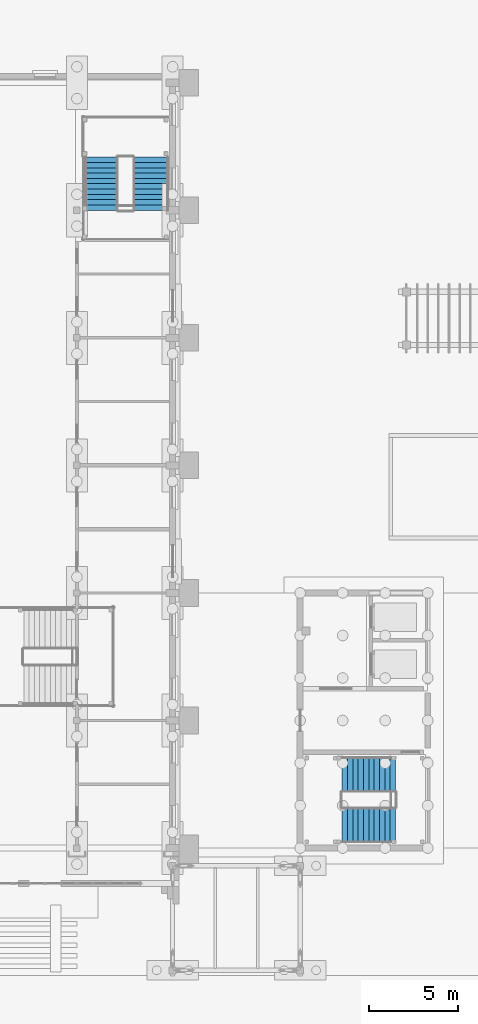
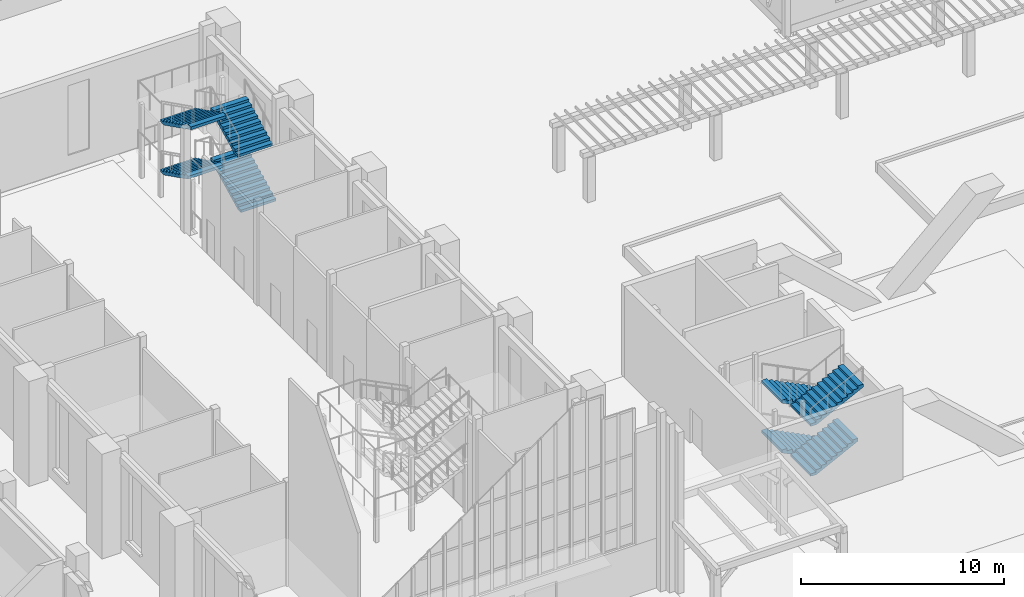
# One storey, part 63 of 84: 8 stair flights, 2 elements without a shape of their own.
"""IFC4 building model written with IfcOpenShell, lengths in metres."""

from ifc_helpers import new_model, si_unit, direction, frame, origin, place, context, subcontext, project, spatial, faceted_brep, material, type_object, element, aggregate, save


model = new_model("IFC4")

# Units and contexts
model_context = context("Model", 3, precision=1e-05, world=origin(), true_north=direction((0.0, 1.0)))
body_context = subcontext(model_context, "Body", "Model", "MODEL_VIEW")
ifc_project = project(units=[si_unit("LENGTHUNIT", "METRE"), si_unit("AREAUNIT", "SQUARE_METRE"), si_unit("VOLUMEUNIT", "CUBIC_METRE"), si_unit("PLANEANGLEUNIT", "RADIAN"), si_unit("MASSUNIT", "GRAM", prefix="KILO")], contexts=[model_context])

# Site, building, storey
site_placement = place(None, origin())
site = spatial("IfcSite", under=ifc_project, at=site_placement, CompositionType="ELEMENT")
building_placement = place(site_placement, origin())
building = spatial("IfcBuilding", under=site, at=building_placement, Name="Mazhai Court Health Centre", CompositionType="ELEMENT")
storey_placement = place(building_placement, origin())
storey = spatial("IfcBuildingStorey", under=building, at=storey_placement, Name="L00", CompositionType="ELEMENT", Elevation=0.0)

# Stair, stair flights
ifc_material_1 = material(Name="Concrete M40", Category="concrete")
stair_type = type_object("IfcStairType", Name="RC STAIR 2000 42R", PredefinedType="DOUBLE_RETURN_STAIR", material=ifc_material_1)
stair_1_placement = place(storey_placement, origin())
stair_1 = element("IfcStair", 1, at=stair_1_placement, inside=storey, type_object=stair_type, Name="L00 Stair 6", PredefinedType="DOUBLE_RETURN_STAIR")
ifc_material_2 = material(Name="Concrete M40", Category="concrete")
stair_flight_type_1 = type_object("IfcStairFlightType", Name="RC STAIR FLIGHT 10R 2000", PredefinedType="STRAIGHT", material=ifc_material_2)
stair_flight_1_placement = place(storey_placement, frame((73.375, 14.695068359375, 1.64990234375), z_axis=(0.0, 0.0, 1.0), x_axis=(1.0, 0.0, 0.0)))
stair_flight_1 = element("IfcStairFlight", 2, at=stair_flight_1_placement, type_object=stair_flight_type_1, Name="ST6 flight 2", NumberOfRisers=10, NumberOfTreads=9, PredefinedType="STRAIGHT", RiserHeight=0.15, TreadLength=0.3, context=body_context, shape_type="Brep", body=[
    faceted_brep([(0.0, 1.0, 0.0), (0.0, 1.0, 0.14990234375), (0.300048828125, 1.0, 0.14990234375), (0.300048828125, 1.0, 0.300048828125), (0.60009765625, 1.0, 0.300048828125), (0.60009765625, 1.0, 0.449951171875), (0.89990234375, 1.0, 0.449951171875), (0.89990234375, 1.0, 0.60009765625), (1.199951171875, 1.0, 0.60009765625), (1.199951171875, 1.0, 0.75), (1.5, 1.0, 0.75), (1.5, 1.0, 0.89990234375), (1.800048828125, 1.0, 0.89990234375), (1.800048828125, 1.0, 1.050048828125), (2.10009765625, 1.0, 1.050048828125), (2.10009765625, 1.0, 1.199951171875), (2.39990234375, 1.0, 1.199951171875), (2.39990234375, 1.0, 1.35009765625), (2.699951171875, 1.0, 1.35009765625), (2.699951171875, 1.0, 1.182373046875), (0.335205078125, 1.0, 0.0), (0.335205078125, -1.0, 0.0), (2.699951171875, -1.0, 1.182373046875), (2.699951171875, -1.0, 1.35009765625), (2.39990234375, -1.0, 1.35009765625), (2.39990234375, -1.0, 1.199951171875), (2.10009765625, -1.0, 1.199951171875), (2.10009765625, -1.0, 1.050048828125), (1.800048828125, -1.0, 1.050048828125), (1.800048828125, -1.0, 0.89990234375), (1.5, -1.0, 0.89990234375), (1.5, -1.0, 0.75), (1.199951171875, -1.0, 0.75), (1.199951171875, -1.0, 0.60009765625), (0.89990234375, -1.0, 0.60009765625), (0.89990234375, -1.0, 0.449951171875), (0.60009765625, -1.0, 0.449951171875), (0.60009765625, -1.0, 0.300048828125), (0.300048828125, -1.0, 0.300048828125), (0.300048828125, -1.0, 0.14990234375), (0.0, -1.0, 0.14990234375), (0.0, -1.0, 0.0), (0.0, 0.0, 0.0), (0.0, 0.0, 0.14990234375), (0.300048828125, 0.0, 0.14990234375), (0.300048828125, 0.0, 0.300048828125), (0.60009765625, 0.0, 0.300048828125), (0.60009765625, 0.0, 0.449951171875), (0.89990234375, 0.0, 0.449951171875), (0.89990234375, 0.0, 0.60009765625), (1.199951171875, 0.0, 0.60009765625), (1.199951171875, 0.0, 0.75), (1.5, 0.0, 0.75), (1.5, 0.0, 0.89990234375), (1.800048828125, 0.0, 0.89990234375), (1.800048828125, 0.0, 1.050048828125), (2.10009765625, 0.0, 1.050048828125), (2.10009765625, 0.0, 1.199951171875), (2.39990234375, 0.0, 1.199951171875), (2.39990234375, 0.0, 1.35009765625), (2.699951171875, 0.0, 1.35009765625), (2.699951171875, 0.0, 1.182373046875), (0.335205078125, 0.0, 0.0)], [[[0, 1, 2, 3, 4, 5, 6, 7, 8, 9, 10, 11, 12, 13, 14, 15, 16, 17, 18, 19, 20]], [[21, 22, 23, 24, 25, 26, 27, 28, 29, 30, 31, 32, 33, 34, 35, 36, 37, 38, 39, 40, 41]], [[42, 43, 1, 0]], [[41, 40, 43, 42]], [[43, 44, 2, 1]], [[40, 39, 44, 43]], [[44, 45, 3, 2]], [[39, 38, 45, 44]], [[45, 46, 4, 3]], [[38, 37, 46, 45]], [[46, 47, 5, 4]], [[37, 36, 47, 46]], [[47, 48, 6, 5]], [[36, 35, 48, 47]], [[48, 49, 7, 6]], [[35, 34, 49, 48]], [[49, 50, 8, 7]], [[34, 33, 50, 49]], [[50, 51, 9, 8]], [[33, 32, 51, 50]], [[51, 52, 10, 9]], [[32, 31, 52, 51]], [[52, 53, 11, 10]], [[31, 30, 53, 52]], [[53, 54, 12, 11]], [[30, 29, 54, 53]], [[54, 55, 13, 12]], [[29, 28, 55, 54]], [[55, 56, 14, 13]], [[28, 27, 56, 55]], [[56, 57, 15, 14]], [[27, 26, 57, 56]], [[57, 58, 16, 15]], [[26, 25, 58, 57]], [[58, 59, 17, 16]], [[25, 24, 59, 58]], [[59, 60, 18, 17]], [[24, 23, 60, 59]], [[60, 61, 19, 18]], [[23, 22, 61, 60]], [[61, 62, 20, 19]], [[22, 21, 62, 61]], [[62, 42, 0, 20]], [[21, 41, 42, 62]]]),
])
stair_flight_2_placement = place(storey_placement, frame((76.074951171875, 17.544921875, 3.14990234375), z_axis=(0.0, 0.0, 1.0), x_axis=(-1.0, 0.0, 0.0)))
stair_flight_2 = element("IfcStairFlight", 3, at=stair_flight_2_placement, type_object=stair_flight_type_1, Name="ST6 flight 3", NumberOfRisers=10, NumberOfTreads=9, PredefinedType="STRAIGHT", RiserHeight=0.15, TreadLength=0.3, context=body_context, shape_type="Brep", body=[
    faceted_brep([(0.0, 1.0, 0.0), (0.0, 1.0, 0.14990234375), (0.300048828125, 1.0, 0.14990234375), (0.300048828125, 1.0, 0.300048828125), (0.60009765625, 1.0, 0.300048828125), (0.60009765625, 1.0, 0.449951171875), (0.89990234375, 1.0, 0.449951171875), (0.89990234375, 1.0, 0.60009765625), (1.199951171875, 1.0, 0.60009765625), (1.199951171875, 1.0, 0.75), (1.5, 1.0, 0.75), (1.5, 1.0, 0.89990234375), (1.800048828125, 1.0, 0.89990234375), (1.800048828125, 1.0, 1.050048828125), (2.10009765625, 1.0, 1.050048828125), (2.10009765625, 1.0, 1.199951171875), (2.39990234375, 1.0, 1.199951171875), (2.39990234375, 1.0, 1.35009765625), (2.699951171875, 1.0, 1.35009765625), (2.699951171875, 1.0, 1.182373046875), (0.335205078125, 1.0, 0.0), (0.335205078125, -1.0, 0.0), (2.699951171875, -1.0, 1.182373046875), (2.699951171875, -1.0, 1.35009765625), (2.39990234375, -1.0, 1.35009765625), (2.39990234375, -1.0, 1.199951171875), (2.10009765625, -1.0, 1.199951171875), (2.10009765625, -1.0, 1.050048828125), (1.800048828125, -1.0, 1.050048828125), (1.800048828125, -1.0, 0.89990234375), (1.5, -1.0, 0.89990234375), (1.5, -1.0, 0.75), (1.199951171875, -1.0, 0.75), (1.199951171875, -1.0, 0.60009765625), (0.89990234375, -1.0, 0.60009765625), (0.89990234375, -1.0, 0.449951171875), (0.60009765625, -1.0, 0.449951171875), (0.60009765625, -1.0, 0.300048828125), (0.300048828125, -1.0, 0.300048828125), (0.300048828125, -1.0, 0.14990234375), (0.0, -1.0, 0.14990234375), (0.0, -1.0, 0.0), (0.0, 0.0, 0.0), (0.0, 0.0, 0.14990234375), (0.300048828125, 0.0, 0.14990234375), (0.300048828125, 0.0, 0.300048828125), (0.60009765625, 0.0, 0.300048828125), (0.60009765625, 0.0, 0.449951171875), (0.89990234375, 0.0, 0.449951171875), (0.89990234375, 0.0, 0.60009765625), (1.199951171875, 0.0, 0.60009765625), (1.199951171875, 0.0, 0.75), (1.5, 0.0, 0.75), (1.5, 0.0, 0.89990234375), (1.800048828125, 0.0, 0.89990234375), (1.800048828125, 0.0, 1.050048828125), (2.10009765625, 0.0, 1.050048828125), (2.10009765625, 0.0, 1.199951171875), (2.39990234375, 0.0, 1.199951171875), (2.39990234375, 0.0, 1.35009765625), (2.699951171875, 0.0, 1.35009765625), (2.699951171875, 0.0, 1.182373046875), (0.335205078125, 0.0, 0.0)], [[[0, 1, 2, 3, 4, 5, 6, 7, 8, 9, 10, 11, 12, 13, 14, 15, 16, 17, 18, 19, 20]], [[21, 22, 23, 24, 25, 26, 27, 28, 29, 30, 31, 32, 33, 34, 35, 36, 37, 38, 39, 40, 41]], [[42, 43, 1, 0]], [[41, 40, 43, 42]], [[43, 44, 2, 1]], [[40, 39, 44, 43]], [[44, 45, 3, 2]], [[39, 38, 45, 44]], [[45, 46, 4, 3]], [[38, 37, 46, 45]], [[46, 47, 5, 4]], [[37, 36, 47, 46]], [[47, 48, 6, 5]], [[36, 35, 48, 47]], [[48, 49, 7, 6]], [[35, 34, 49, 48]], [[49, 50, 8, 7]], [[34, 33, 50, 49]], [[50, 51, 9, 8]], [[33, 32, 51, 50]], [[51, 52, 10, 9]], [[32, 31, 52, 51]], [[52, 53, 11, 10]], [[31, 30, 53, 52]], [[53, 54, 12, 11]], [[30, 29, 54, 53]], [[54, 55, 13, 12]], [[29, 28, 55, 54]], [[55, 56, 14, 13]], [[28, 27, 56, 55]], [[56, 57, 15, 14]], [[27, 26, 57, 56]], [[57, 58, 16, 15]], [[26, 25, 58, 57]], [[58, 59, 17, 16]], [[25, 24, 59, 58]], [[59, 60, 18, 17]], [[24, 23, 60, 59]], [[60, 61, 19, 18]], [[23, 22, 61, 60]], [[61, 62, 20, 19]], [[22, 21, 62, 61]], [[62, 42, 0, 20]], [[21, 41, 42, 62]]]),
])

stair_2_placement = place(storey_placement, origin())
stair_2 = element("IfcStair", 4, at=stair_2_placement, inside=storey, type_object=stair_type, Name="L00 Stair 12", PredefinedType="DOUBLE_RETURN_STAIR")
stair_flight_3_placement = place(storey_placement, frame((59.717529296875, 52.39990234375, 1.64990234375), z_axis=(0.0, 0.0, 1.0), x_axis=(0.0, -1.0, 0.0)))
stair_flight_3 = element("IfcStairFlight", 5, at=stair_flight_3_placement, type_object=stair_flight_type_1, Name="ST12 flight 2", NumberOfRisers=10, NumberOfTreads=9, PredefinedType="STRAIGHT", RiserHeight=0.15, TreadLength=0.3, context=body_context, shape_type="Brep", body=[
    faceted_brep([(0.0, 1.0, 0.0), (0.0, 1.0, 0.14990234375), (0.300048828125, 1.0, 0.14990234375), (0.300048828125, 1.0, 0.300048828125), (0.60009765625, 1.0, 0.300048828125), (0.60009765625, 1.0, 0.449951171875), (0.89990234375, 1.0, 0.449951171875), (0.89990234375, 1.0, 0.60009765625), (1.199951171875, 1.0, 0.60009765625), (1.199951171875, 1.0, 0.75), (1.5, 1.0, 0.75), (1.5, 1.0, 0.89990234375), (1.800048828125, 1.0, 0.89990234375), (1.800048828125, 1.0, 1.050048828125), (2.10009765625, 1.0, 1.050048828125), (2.10009765625, 1.0, 1.199951171875), (2.39990234375, 1.0, 1.199951171875), (2.39990234375, 1.0, 1.35009765625), (2.699951171875, 1.0, 1.35009765625), (2.699951171875, 1.0, 1.182373046875), (0.335205078125, 1.0, 0.0), (0.335205078125, -1.0, 0.0), (2.699951171875, -1.0, 1.182373046875), (2.699951171875, -1.0, 1.35009765625), (2.39990234375, -1.0, 1.35009765625), (2.39990234375, -1.0, 1.199951171875), (2.10009765625, -1.0, 1.199951171875), (2.10009765625, -1.0, 1.050048828125), (1.800048828125, -1.0, 1.050048828125), (1.800048828125, -1.0, 0.89990234375), (1.5, -1.0, 0.89990234375), (1.5, -1.0, 0.75), (1.199951171875, -1.0, 0.75), (1.199951171875, -1.0, 0.60009765625), (0.89990234375, -1.0, 0.60009765625), (0.89990234375, -1.0, 0.449951171875), (0.60009765625, -1.0, 0.449951171875), (0.60009765625, -1.0, 0.300048828125), (0.300048828125, -1.0, 0.300048828125), (0.300048828125, -1.0, 0.14990234375), (0.0, -1.0, 0.14990234375), (0.0, -1.0, 0.0), (0.0, 0.0, 0.0), (0.0, 0.0, 0.14990234375), (0.300048828125, 0.0, 0.14990234375), (0.300048828125, 0.0, 0.300048828125), (0.60009765625, 0.0, 0.300048828125), (0.60009765625, 0.0, 0.449951171875), (0.89990234375, 0.0, 0.449951171875), (0.89990234375, 0.0, 0.60009765625), (1.199951171875, 0.0, 0.60009765625), (1.199951171875, 0.0, 0.75), (1.5, 0.0, 0.75), (1.5, 0.0, 0.89990234375), (1.800048828125, 0.0, 0.89990234375), (1.800048828125, 0.0, 1.050048828125), (2.10009765625, 0.0, 1.050048828125), (2.10009765625, 0.0, 1.199951171875), (2.39990234375, 0.0, 1.199951171875), (2.39990234375, 0.0, 1.35009765625), (2.699951171875, 0.0, 1.35009765625), (2.699951171875, 0.0, 1.182373046875), (0.335205078125, 0.0, 0.0)], [[[0, 1, 2, 3, 4, 5, 6, 7, 8, 9, 10, 11, 12, 13, 14, 15, 16, 17, 18, 19, 20]], [[21, 22, 23, 24, 25, 26, 27, 28, 29, 30, 31, 32, 33, 34, 35, 36, 37, 38, 39, 40, 41]], [[42, 43, 1, 0]], [[41, 40, 43, 42]], [[43, 44, 2, 1]], [[40, 39, 44, 43]], [[44, 45, 3, 2]], [[39, 38, 45, 44]], [[45, 46, 4, 3]], [[38, 37, 46, 45]], [[46, 47, 5, 4]], [[37, 36, 47, 46]], [[47, 48, 6, 5]], [[36, 35, 48, 47]], [[48, 49, 7, 6]], [[35, 34, 49, 48]], [[49, 50, 8, 7]], [[34, 33, 50, 49]], [[50, 51, 9, 8]], [[33, 32, 51, 50]], [[51, 52, 10, 9]], [[32, 31, 52, 51]], [[52, 53, 11, 10]], [[31, 30, 53, 52]], [[53, 54, 12, 11]], [[30, 29, 54, 53]], [[54, 55, 13, 12]], [[29, 28, 55, 54]], [[55, 56, 14, 13]], [[28, 27, 56, 55]], [[56, 57, 15, 14]], [[27, 26, 57, 56]], [[57, 58, 16, 15]], [[26, 25, 58, 57]], [[58, 59, 17, 16]], [[25, 24, 59, 58]], [[59, 60, 18, 17]], [[24, 23, 60, 59]], [[60, 61, 19, 18]], [[23, 22, 61, 60]], [[61, 62, 20, 19]], [[22, 21, 62, 61]], [[62, 42, 0, 20]], [[21, 41, 42, 62]]]),
])
stair_flight_4_placement = place(storey_placement, frame((62.5673828125, 49.699951171875, 3.14990234375), z_axis=(0.0, 0.0, 1.0), x_axis=(0.0, 1.0, 0.0)))
stair_flight_4 = element("IfcStairFlight", 6, at=stair_flight_4_placement, type_object=stair_flight_type_1, Name="ST12 flight 3", NumberOfRisers=10, NumberOfTreads=9, PredefinedType="STRAIGHT", RiserHeight=0.15, TreadLength=0.3, context=body_context, shape_type="Brep", body=[
    faceted_brep([(0.0, 1.0, 0.0), (0.0, 1.0, 0.14990234375), (0.300048828125, 1.0, 0.14990234375), (0.300048828125, 1.0, 0.300048828125), (0.60009765625, 1.0, 0.300048828125), (0.60009765625, 1.0, 0.449951171875), (0.89990234375, 1.0, 0.449951171875), (0.89990234375, 1.0, 0.60009765625), (1.199951171875, 1.0, 0.60009765625), (1.199951171875, 1.0, 0.75), (1.5, 1.0, 0.75), (1.5, 1.0, 0.89990234375), (1.800048828125, 1.0, 0.89990234375), (1.800048828125, 1.0, 1.050048828125), (2.10009765625, 1.0, 1.050048828125), (2.10009765625, 1.0, 1.199951171875), (2.39990234375, 1.0, 1.199951171875), (2.39990234375, 1.0, 1.35009765625), (2.699951171875, 1.0, 1.35009765625), (2.699951171875, 1.0, 1.182373046875), (0.335205078125, 1.0, 0.0), (0.335205078125, -1.0, 0.0), (2.699951171875, -1.0, 1.182373046875), (2.699951171875, -1.0, 1.35009765625), (2.39990234375, -1.0, 1.35009765625), (2.39990234375, -1.0, 1.199951171875), (2.10009765625, -1.0, 1.199951171875), (2.10009765625, -1.0, 1.050048828125), (1.800048828125, -1.0, 1.050048828125), (1.800048828125, -1.0, 0.89990234375), (1.5, -1.0, 0.89990234375), (1.5, -1.0, 0.75), (1.199951171875, -1.0, 0.75), (1.199951171875, -1.0, 0.60009765625), (0.89990234375, -1.0, 0.60009765625), (0.89990234375, -1.0, 0.449951171875), (0.60009765625, -1.0, 0.449951171875), (0.60009765625, -1.0, 0.300048828125), (0.300048828125, -1.0, 0.300048828125), (0.300048828125, -1.0, 0.14990234375), (0.0, -1.0, 0.14990234375), (0.0, -1.0, 0.0), (0.0, 0.0, 0.0), (0.0, 0.0, 0.14990234375), (0.300048828125, 0.0, 0.14990234375), (0.300048828125, 0.0, 0.300048828125), (0.60009765625, 0.0, 0.300048828125), (0.60009765625, 0.0, 0.449951171875), (0.89990234375, 0.0, 0.449951171875), (0.89990234375, 0.0, 0.60009765625), (1.199951171875, 0.0, 0.60009765625), (1.199951171875, 0.0, 0.75), (1.5, 0.0, 0.75), (1.5, 0.0, 0.89990234375), (1.800048828125, 0.0, 0.89990234375), (1.800048828125, 0.0, 1.050048828125), (2.10009765625, 0.0, 1.050048828125), (2.10009765625, 0.0, 1.199951171875), (2.39990234375, 0.0, 1.199951171875), (2.39990234375, 0.0, 1.35009765625), (2.699951171875, 0.0, 1.35009765625), (2.699951171875, 0.0, 1.182373046875), (0.335205078125, 0.0, 0.0)], [[[0, 1, 2, 3, 4, 5, 6, 7, 8, 9, 10, 11, 12, 13, 14, 15, 16, 17, 18, 19, 20]], [[21, 22, 23, 24, 25, 26, 27, 28, 29, 30, 31, 32, 33, 34, 35, 36, 37, 38, 39, 40, 41]], [[42, 43, 1, 0]], [[41, 40, 43, 42]], [[43, 44, 2, 1]], [[40, 39, 44, 43]], [[44, 45, 3, 2]], [[39, 38, 45, 44]], [[45, 46, 4, 3]], [[38, 37, 46, 45]], [[46, 47, 5, 4]], [[37, 36, 47, 46]], [[47, 48, 6, 5]], [[36, 35, 48, 47]], [[48, 49, 7, 6]], [[35, 34, 49, 48]], [[49, 50, 8, 7]], [[34, 33, 50, 49]], [[50, 51, 9, 8]], [[33, 32, 51, 50]], [[51, 52, 10, 9]], [[32, 31, 52, 51]], [[52, 53, 11, 10]], [[31, 30, 53, 52]], [[53, 54, 12, 11]], [[30, 29, 54, 53]], [[54, 55, 13, 12]], [[29, 28, 55, 54]], [[55, 56, 14, 13]], [[28, 27, 56, 55]], [[56, 57, 15, 14]], [[27, 26, 57, 56]], [[57, 58, 16, 15]], [[26, 25, 58, 57]], [[58, 59, 17, 16]], [[25, 24, 59, 58]], [[59, 60, 18, 17]], [[24, 23, 60, 59]], [[60, 61, 19, 18]], [[23, 22, 61, 60]], [[61, 62, 20, 19]], [[22, 21, 62, 61]], [[62, 42, 0, 20]], [[21, 41, 42, 62]]]),
])

# Stair flight
ifc_material_3 = material(Name="Concrete M40", Category="concrete")
stair_flight_type_2 = type_object("IfcStairFlightType", Name="RC STAIR FLIGHT 11R 2000", PredefinedType="STRAIGHT", material=ifc_material_3)
stair_flight_5_placement = place(storey_placement, frame((76.375, 17.544921875, 0.0), z_axis=(0.0, 0.0, 1.0), x_axis=(-1.0, 0.0, 0.0)))
stair_flight_5 = element("IfcStairFlight", 7, at=stair_flight_5_placement, type_object=stair_flight_type_2, Name="ST6 flight 1", NumberOfRisers=11, NumberOfTreads=10, PredefinedType="STRAIGHT", RiserHeight=0.15, TreadLength=0.3, context=body_context, shape_type="Brep", body=[
    faceted_brep([(0.0, 1.0, 0.0), (0.0, 1.0, 0.14990234375), (0.300048828125, 1.0, 0.14990234375), (0.300048828125, 1.0, 0.300048828125), (0.60009765625, 1.0, 0.300048828125), (0.60009765625, 1.0, 0.449951171875), (0.89990234375, 1.0, 0.449951171875), (0.89990234375, 1.0, 0.60009765625), (1.199951171875, 1.0, 0.60009765625), (1.199951171875, 1.0, 0.75), (1.5, 1.0, 0.75), (1.5, 1.0, 0.89990234375), (1.800048828125, 1.0, 0.89990234375), (1.800048828125, 1.0, 1.050048828125), (2.10009765625, 1.0, 1.050048828125), (2.10009765625, 1.0, 1.199951171875), (2.39990234375, 1.0, 1.199951171875), (2.39990234375, 1.0, 1.35009765625), (2.699951171875, 1.0, 1.35009765625), (2.699951171875, 1.0, 1.5), (3.0, 1.0, 1.5), (3.0, 1.0, 1.33251953125), (0.335205078125, 1.0, 0.0), (0.335205078125, -1.0, 0.0), (3.0, -1.0, 1.33251953125), (3.0, -1.0, 1.5), (2.699951171875, -1.0, 1.5), (2.699951171875, -1.0, 1.35009765625), (2.39990234375, -1.0, 1.35009765625), (2.39990234375, -1.0, 1.199951171875), (2.10009765625, -1.0, 1.199951171875), (2.10009765625, -1.0, 1.050048828125), (1.800048828125, -1.0, 1.050048828125), (1.800048828125, -1.0, 0.89990234375), (1.5, -1.0, 0.89990234375), (1.5, -1.0, 0.75), (1.199951171875, -1.0, 0.75), (1.199951171875, -1.0, 0.60009765625), (0.89990234375, -1.0, 0.60009765625), (0.89990234375, -1.0, 0.449951171875), (0.60009765625, -1.0, 0.449951171875), (0.60009765625, -1.0, 0.300048828125), (0.300048828125, -1.0, 0.300048828125), (0.300048828125, -1.0, 0.14990234375), (0.0, -1.0, 0.14990234375), (0.0, -1.0, 0.0), (0.0, 0.0, 0.0), (0.0, 0.0, 0.14990234375), (0.300048828125, 0.0, 0.14990234375), (0.300048828125, 0.0, 0.300048828125), (0.60009765625, 0.0, 0.300048828125), (0.60009765625, 0.0, 0.449951171875), (0.89990234375, 0.0, 0.449951171875), (0.89990234375, 0.0, 0.60009765625), (1.199951171875, 0.0, 0.60009765625), (1.199951171875, 0.0, 0.75), (1.5, 0.0, 0.75), (1.5, 0.0, 0.89990234375), (1.800048828125, 0.0, 0.89990234375), (1.800048828125, 0.0, 1.050048828125), (2.10009765625, 0.0, 1.050048828125), (2.10009765625, 0.0, 1.199951171875), (2.39990234375, 0.0, 1.199951171875), (2.39990234375, 0.0, 1.35009765625), (2.699951171875, 0.0, 1.35009765625), (2.699951171875, 0.0, 1.5), (3.0, 0.0, 1.5), (3.0, 0.0, 1.33251953125), (0.335205078125, 0.0, 0.0)], [[[0, 1, 2, 3, 4, 5, 6, 7, 8, 9, 10, 11, 12, 13, 14, 15, 16, 17, 18, 19, 20, 21, 22]], [[23, 24, 25, 26, 27, 28, 29, 30, 31, 32, 33, 34, 35, 36, 37, 38, 39, 40, 41, 42, 43, 44, 45]], [[46, 47, 1, 0]], [[45, 44, 47, 46]], [[47, 48, 2, 1]], [[44, 43, 48, 47]], [[48, 49, 3, 2]], [[43, 42, 49, 48]], [[49, 50, 4, 3]], [[42, 41, 50, 49]], [[50, 51, 5, 4]], [[41, 40, 51, 50]], [[51, 52, 6, 5]], [[40, 39, 52, 51]], [[52, 53, 7, 6]], [[39, 38, 53, 52]], [[53, 54, 8, 7]], [[38, 37, 54, 53]], [[54, 55, 9, 8]], [[37, 36, 55, 54]], [[55, 56, 10, 9]], [[36, 35, 56, 55]], [[56, 57, 11, 10]], [[35, 34, 57, 56]], [[57, 58, 12, 11]], [[34, 33, 58, 57]], [[58, 59, 13, 12]], [[33, 32, 59, 58]], [[59, 60, 14, 13]], [[32, 31, 60, 59]], [[60, 61, 15, 14]], [[31, 30, 61, 60]], [[61, 62, 16, 15]], [[30, 29, 62, 61]], [[62, 63, 17, 16]], [[29, 28, 63, 62]], [[63, 64, 18, 17]], [[28, 27, 64, 63]], [[64, 65, 19, 18]], [[27, 26, 65, 64]], [[65, 66, 20, 19]], [[26, 25, 66, 65]], [[66, 67, 21, 20]], [[25, 24, 67, 66]], [[67, 68, 22, 21]], [[24, 23, 68, 67]], [[68, 46, 0, 22]], [[23, 45, 46, 68]]]),
])

stair_flight_6_placement = place(storey_placement, frame((73.375, 14.695068359375, 4.64990234375), z_axis=(0.0, 0.0, 1.0), x_axis=(1.0, 0.0, 0.0)))
stair_flight_6 = element("IfcStairFlight", 8, at=stair_flight_6_placement, type_object=stair_flight_type_2, Name="ST6 flight 4", NumberOfRisers=11, NumberOfTreads=10, PredefinedType="STRAIGHT", RiserHeight=0.15, TreadLength=0.3, context=body_context, shape_type="Brep", body=[
    faceted_brep([(0.0, 1.0, 0.0), (0.0, 1.0, 0.14990234375), (0.300048828125, 1.0, 0.14990234375), (0.300048828125, 1.0, 0.300048828125), (0.60009765625, 1.0, 0.300048828125), (0.60009765625, 1.0, 0.449951171875), (0.89990234375, 1.0, 0.449951171875), (0.89990234375, 1.0, 0.60009765625), (1.199951171875, 1.0, 0.60009765625), (1.199951171875, 1.0, 0.75), (1.5, 1.0, 0.75), (1.5, 1.0, 0.89990234375), (1.800048828125, 1.0, 0.89990234375), (1.800048828125, 1.0, 1.050048828125), (2.10009765625, 1.0, 1.050048828125), (2.10009765625, 1.0, 1.199951171875), (2.39990234375, 1.0, 1.199951171875), (2.39990234375, 1.0, 1.35009765625), (2.699951171875, 1.0, 1.35009765625), (2.699951171875, 1.0, 1.5), (3.0, 1.0, 1.5), (3.0, 1.0, 1.33251953125), (0.335205078125, 1.0, 0.0), (0.335205078125, -1.0, 0.0), (3.0, -1.0, 1.33251953125), (3.0, -1.0, 1.5), (2.699951171875, -1.0, 1.5), (2.699951171875, -1.0, 1.35009765625), (2.39990234375, -1.0, 1.35009765625), (2.39990234375, -1.0, 1.199951171875), (2.10009765625, -1.0, 1.199951171875), (2.10009765625, -1.0, 1.050048828125), (1.800048828125, -1.0, 1.050048828125), (1.800048828125, -1.0, 0.89990234375), (1.5, -1.0, 0.89990234375), (1.5, -1.0, 0.75), (1.199951171875, -1.0, 0.75), (1.199951171875, -1.0, 0.60009765625), (0.89990234375, -1.0, 0.60009765625), (0.89990234375, -1.0, 0.449951171875), (0.60009765625, -1.0, 0.449951171875), (0.60009765625, -1.0, 0.300048828125), (0.300048828125, -1.0, 0.300048828125), (0.300048828125, -1.0, 0.14990234375), (0.0, -1.0, 0.14990234375), (0.0, -1.0, 0.0), (0.0, 0.0, 0.0), (0.0, 0.0, 0.14990234375), (0.300048828125, 0.0, 0.14990234375), (0.300048828125, 0.0, 0.300048828125), (0.60009765625, 0.0, 0.300048828125), (0.60009765625, 0.0, 0.449951171875), (0.89990234375, 0.0, 0.449951171875), (0.89990234375, 0.0, 0.60009765625), (1.199951171875, 0.0, 0.60009765625), (1.199951171875, 0.0, 0.75), (1.5, 0.0, 0.75), (1.5, 0.0, 0.89990234375), (1.800048828125, 0.0, 0.89990234375), (1.800048828125, 0.0, 1.050048828125), (2.10009765625, 0.0, 1.050048828125), (2.10009765625, 0.0, 1.199951171875), (2.39990234375, 0.0, 1.199951171875), (2.39990234375, 0.0, 1.35009765625), (2.699951171875, 0.0, 1.35009765625), (2.699951171875, 0.0, 1.5), (3.0, 0.0, 1.5), (3.0, 0.0, 1.33251953125), (0.335205078125, 0.0, 0.0)], [[[0, 1, 2, 3, 4, 5, 6, 7, 8, 9, 10, 11, 12, 13, 14, 15, 16, 17, 18, 19, 20, 21, 22]], [[23, 24, 25, 26, 27, 28, 29, 30, 31, 32, 33, 34, 35, 36, 37, 38, 39, 40, 41, 42, 43, 44, 45]], [[46, 47, 1, 0]], [[45, 44, 47, 46]], [[47, 48, 2, 1]], [[44, 43, 48, 47]], [[48, 49, 3, 2]], [[43, 42, 49, 48]], [[49, 50, 4, 3]], [[42, 41, 50, 49]], [[50, 51, 5, 4]], [[41, 40, 51, 50]], [[51, 52, 6, 5]], [[40, 39, 52, 51]], [[52, 53, 7, 6]], [[39, 38, 53, 52]], [[53, 54, 8, 7]], [[38, 37, 54, 53]], [[54, 55, 9, 8]], [[37, 36, 55, 54]], [[55, 56, 10, 9]], [[36, 35, 56, 55]], [[56, 57, 11, 10]], [[35, 34, 57, 56]], [[57, 58, 12, 11]], [[34, 33, 58, 57]], [[58, 59, 13, 12]], [[33, 32, 59, 58]], [[59, 60, 14, 13]], [[32, 31, 60, 59]], [[60, 61, 15, 14]], [[31, 30, 61, 60]], [[61, 62, 16, 15]], [[30, 29, 62, 61]], [[62, 63, 17, 16]], [[29, 28, 63, 62]], [[63, 64, 18, 17]], [[28, 27, 64, 63]], [[64, 65, 19, 18]], [[27, 26, 65, 64]], [[65, 66, 20, 19]], [[26, 25, 66, 65]], [[66, 67, 21, 20]], [[25, 24, 67, 66]], [[67, 68, 22, 21]], [[24, 23, 68, 67]], [[68, 46, 0, 22]], [[23, 45, 46, 68]]]),
])

aggregate(stair_1, [stair_flight_5, stair_flight_1, stair_flight_2, stair_flight_6])

stair_flight_7_placement = place(storey_placement, frame((62.5673828125, 49.39990234375, 0.0), z_axis=(0.0, 0.0, 1.0), x_axis=(0.0, 1.0, 0.0)))
stair_flight_7 = element("IfcStairFlight", 9, at=stair_flight_7_placement, type_object=stair_flight_type_2, Name="ST12 flight 1", NumberOfRisers=11, NumberOfTreads=10, PredefinedType="STRAIGHT", RiserHeight=0.15, TreadLength=0.3, context=body_context, shape_type="Brep", body=[
    faceted_brep([(0.0, 1.0, 0.0), (0.0, 1.0, 0.14990234375), (0.300048828125, 1.0, 0.14990234375), (0.300048828125, 1.0, 0.300048828125), (0.60009765625, 1.0, 0.300048828125), (0.60009765625, 1.0, 0.449951171875), (0.89990234375, 1.0, 0.449951171875), (0.89990234375, 1.0, 0.60009765625), (1.199951171875, 1.0, 0.60009765625), (1.199951171875, 1.0, 0.75), (1.5, 1.0, 0.75), (1.5, 1.0, 0.89990234375), (1.800048828125, 1.0, 0.89990234375), (1.800048828125, 1.0, 1.050048828125), (2.10009765625, 1.0, 1.050048828125), (2.10009765625, 1.0, 1.199951171875), (2.39990234375, 1.0, 1.199951171875), (2.39990234375, 1.0, 1.35009765625), (2.699951171875, 1.0, 1.35009765625), (2.699951171875, 1.0, 1.5), (3.0, 1.0, 1.5), (3.0, 1.0, 1.33251953125), (0.335205078125, 1.0, 0.0), (0.335205078125, -1.0, 0.0), (3.0, -1.0, 1.33251953125), (3.0, -1.0, 1.5), (2.699951171875, -1.0, 1.5), (2.699951171875, -1.0, 1.35009765625), (2.39990234375, -1.0, 1.35009765625), (2.39990234375, -1.0, 1.199951171875), (2.10009765625, -1.0, 1.199951171875), (2.10009765625, -1.0, 1.050048828125), (1.800048828125, -1.0, 1.050048828125), (1.800048828125, -1.0, 0.89990234375), (1.5, -1.0, 0.89990234375), (1.5, -1.0, 0.75), (1.199951171875, -1.0, 0.75), (1.199951171875, -1.0, 0.60009765625), (0.89990234375, -1.0, 0.60009765625), (0.89990234375, -1.0, 0.449951171875), (0.60009765625, -1.0, 0.449951171875), (0.60009765625, -1.0, 0.300048828125), (0.300048828125, -1.0, 0.300048828125), (0.300048828125, -1.0, 0.14990234375), (0.0, -1.0, 0.14990234375), (0.0, -1.0, 0.0), (0.0, 0.0, 0.0), (0.0, 0.0, 0.14990234375), (0.300048828125, 0.0, 0.14990234375), (0.300048828125, 0.0, 0.300048828125), (0.60009765625, 0.0, 0.300048828125), (0.60009765625, 0.0, 0.449951171875), (0.89990234375, 0.0, 0.449951171875), (0.89990234375, 0.0, 0.60009765625), (1.199951171875, 0.0, 0.60009765625), (1.199951171875, 0.0, 0.75), (1.5, 0.0, 0.75), (1.5, 0.0, 0.89990234375), (1.800048828125, 0.0, 0.89990234375), (1.800048828125, 0.0, 1.050048828125), (2.10009765625, 0.0, 1.050048828125), (2.10009765625, 0.0, 1.199951171875), (2.39990234375, 0.0, 1.199951171875), (2.39990234375, 0.0, 1.35009765625), (2.699951171875, 0.0, 1.35009765625), (2.699951171875, 0.0, 1.5), (3.0, 0.0, 1.5), (3.0, 0.0, 1.33251953125), (0.335205078125, 0.0, 0.0)], [[[0, 1, 2, 3, 4, 5, 6, 7, 8, 9, 10, 11, 12, 13, 14, 15, 16, 17, 18, 19, 20, 21, 22]], [[23, 24, 25, 26, 27, 28, 29, 30, 31, 32, 33, 34, 35, 36, 37, 38, 39, 40, 41, 42, 43, 44, 45]], [[46, 47, 1, 0]], [[45, 44, 47, 46]], [[47, 48, 2, 1]], [[44, 43, 48, 47]], [[48, 49, 3, 2]], [[43, 42, 49, 48]], [[49, 50, 4, 3]], [[42, 41, 50, 49]], [[50, 51, 5, 4]], [[41, 40, 51, 50]], [[51, 52, 6, 5]], [[40, 39, 52, 51]], [[52, 53, 7, 6]], [[39, 38, 53, 52]], [[53, 54, 8, 7]], [[38, 37, 54, 53]], [[54, 55, 9, 8]], [[37, 36, 55, 54]], [[55, 56, 10, 9]], [[36, 35, 56, 55]], [[56, 57, 11, 10]], [[35, 34, 57, 56]], [[57, 58, 12, 11]], [[34, 33, 58, 57]], [[58, 59, 13, 12]], [[33, 32, 59, 58]], [[59, 60, 14, 13]], [[32, 31, 60, 59]], [[60, 61, 15, 14]], [[31, 30, 61, 60]], [[61, 62, 16, 15]], [[30, 29, 62, 61]], [[62, 63, 17, 16]], [[29, 28, 63, 62]], [[63, 64, 18, 17]], [[28, 27, 64, 63]], [[64, 65, 19, 18]], [[27, 26, 65, 64]], [[65, 66, 20, 19]], [[26, 25, 66, 65]], [[66, 67, 21, 20]], [[25, 24, 67, 66]], [[67, 68, 22, 21]], [[24, 23, 68, 67]], [[68, 46, 0, 22]], [[23, 45, 46, 68]]]),
])

stair_flight_8_placement = place(storey_placement, frame((59.717529296875, 52.39990234375, 4.64990234375), z_axis=(0.0, 0.0, 1.0), x_axis=(0.0, -1.0, 0.0)))
stair_flight_8 = element("IfcStairFlight", 10, at=stair_flight_8_placement, type_object=stair_flight_type_2, Name="ST12 flight 4", NumberOfRisers=11, NumberOfTreads=10, PredefinedType="STRAIGHT", RiserHeight=0.15, TreadLength=0.3, context=body_context, shape_type="Brep", body=[
    faceted_brep([(0.0, 1.0, 0.0), (0.0, 1.0, 0.14990234375), (0.300048828125, 1.0, 0.14990234375), (0.300048828125, 1.0, 0.300048828125), (0.60009765625, 1.0, 0.300048828125), (0.60009765625, 1.0, 0.449951171875), (0.89990234375, 1.0, 0.449951171875), (0.89990234375, 1.0, 0.60009765625), (1.199951171875, 1.0, 0.60009765625), (1.199951171875, 1.0, 0.75), (1.5, 1.0, 0.75), (1.5, 1.0, 0.89990234375), (1.800048828125, 1.0, 0.89990234375), (1.800048828125, 1.0, 1.050048828125), (2.10009765625, 1.0, 1.050048828125), (2.10009765625, 1.0, 1.199951171875), (2.39990234375, 1.0, 1.199951171875), (2.39990234375, 1.0, 1.35009765625), (2.699951171875, 1.0, 1.35009765625), (2.699951171875, 1.0, 1.5), (3.0, 1.0, 1.5), (3.0, 1.0, 1.33251953125), (0.335205078125, 1.0, 0.0), (0.335205078125, -1.0, 0.0), (3.0, -1.0, 1.33251953125), (3.0, -1.0, 1.5), (2.699951171875, -1.0, 1.5), (2.699951171875, -1.0, 1.35009765625), (2.39990234375, -1.0, 1.35009765625), (2.39990234375, -1.0, 1.199951171875), (2.10009765625, -1.0, 1.199951171875), (2.10009765625, -1.0, 1.050048828125), (1.800048828125, -1.0, 1.050048828125), (1.800048828125, -1.0, 0.89990234375), (1.5, -1.0, 0.89990234375), (1.5, -1.0, 0.75), (1.199951171875, -1.0, 0.75), (1.199951171875, -1.0, 0.60009765625), (0.89990234375, -1.0, 0.60009765625), (0.89990234375, -1.0, 0.449951171875), (0.60009765625, -1.0, 0.449951171875), (0.60009765625, -1.0, 0.300048828125), (0.300048828125, -1.0, 0.300048828125), (0.300048828125, -1.0, 0.14990234375), (0.0, -1.0, 0.14990234375), (0.0, -1.0, 0.0), (0.0, 0.0, 0.0), (0.0, 0.0, 0.14990234375), (0.300048828125, 0.0, 0.14990234375), (0.300048828125, 0.0, 0.300048828125), (0.60009765625, 0.0, 0.300048828125), (0.60009765625, 0.0, 0.449951171875), (0.89990234375, 0.0, 0.449951171875), (0.89990234375, 0.0, 0.60009765625), (1.199951171875, 0.0, 0.60009765625), (1.199951171875, 0.0, 0.75), (1.5, 0.0, 0.75), (1.5, 0.0, 0.89990234375), (1.800048828125, 0.0, 0.89990234375), (1.800048828125, 0.0, 1.050048828125), (2.10009765625, 0.0, 1.050048828125), (2.10009765625, 0.0, 1.199951171875), (2.39990234375, 0.0, 1.199951171875), (2.39990234375, 0.0, 1.35009765625), (2.699951171875, 0.0, 1.35009765625), (2.699951171875, 0.0, 1.5), (3.0, 0.0, 1.5), (3.0, 0.0, 1.33251953125), (0.335205078125, 0.0, 0.0)], [[[0, 1, 2, 3, 4, 5, 6, 7, 8, 9, 10, 11, 12, 13, 14, 15, 16, 17, 18, 19, 20, 21, 22]], [[23, 24, 25, 26, 27, 28, 29, 30, 31, 32, 33, 34, 35, 36, 37, 38, 39, 40, 41, 42, 43, 44, 45]], [[46, 47, 1, 0]], [[45, 44, 47, 46]], [[47, 48, 2, 1]], [[44, 43, 48, 47]], [[48, 49, 3, 2]], [[43, 42, 49, 48]], [[49, 50, 4, 3]], [[42, 41, 50, 49]], [[50, 51, 5, 4]], [[41, 40, 51, 50]], [[51, 52, 6, 5]], [[40, 39, 52, 51]], [[52, 53, 7, 6]], [[39, 38, 53, 52]], [[53, 54, 8, 7]], [[38, 37, 54, 53]], [[54, 55, 9, 8]], [[37, 36, 55, 54]], [[55, 56, 10, 9]], [[36, 35, 56, 55]], [[56, 57, 11, 10]], [[35, 34, 57, 56]], [[57, 58, 12, 11]], [[34, 33, 58, 57]], [[58, 59, 13, 12]], [[33, 32, 59, 58]], [[59, 60, 14, 13]], [[32, 31, 60, 59]], [[60, 61, 15, 14]], [[31, 30, 61, 60]], [[61, 62, 16, 15]], [[30, 29, 62, 61]], [[62, 63, 17, 16]], [[29, 28, 63, 62]], [[63, 64, 18, 17]], [[28, 27, 64, 63]], [[64, 65, 19, 18]], [[27, 26, 65, 64]], [[65, 66, 20, 19]], [[26, 25, 66, 65]], [[66, 67, 21, 20]], [[25, 24, 67, 66]], [[67, 68, 22, 21]], [[24, 23, 68, 67]], [[68, 46, 0, 22]], [[23, 45, 46, 68]]]),
])

aggregate(stair_2, [stair_flight_7, stair_flight_3, stair_flight_4, stair_flight_8])

save(model, "model.ifc")
